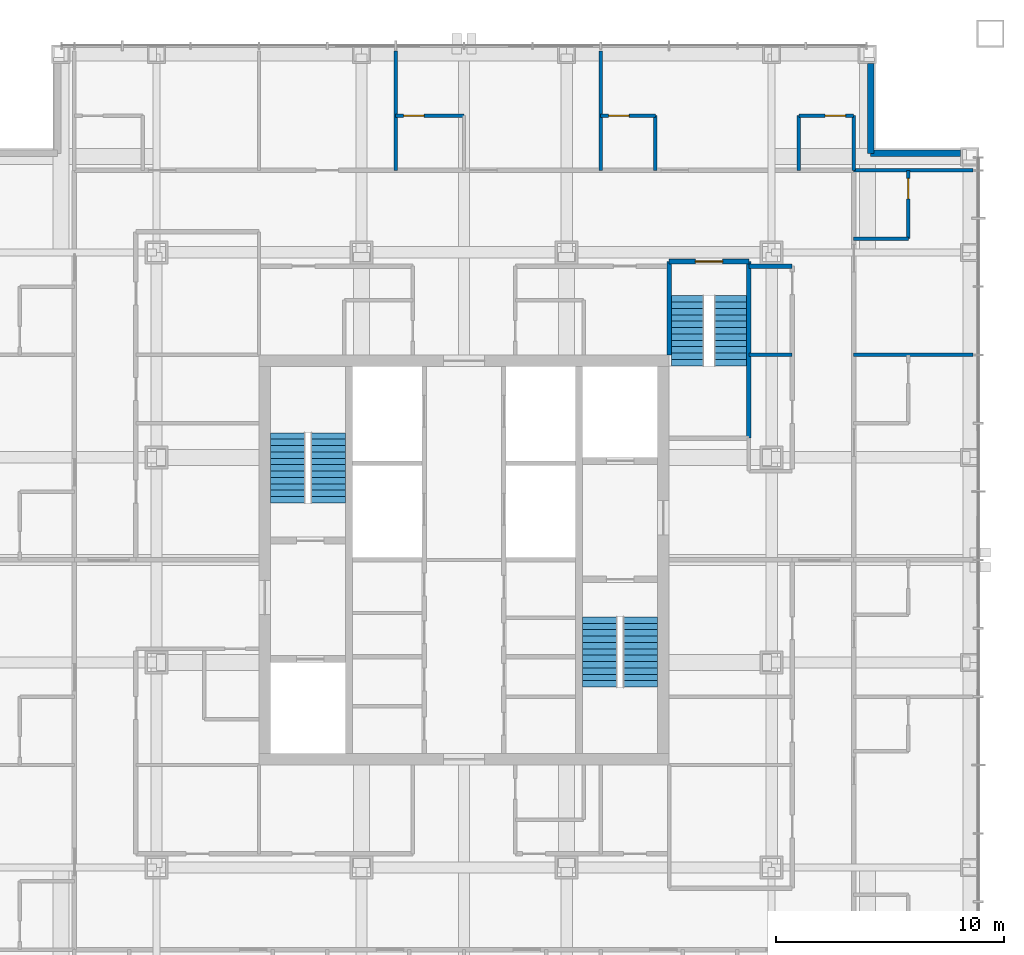
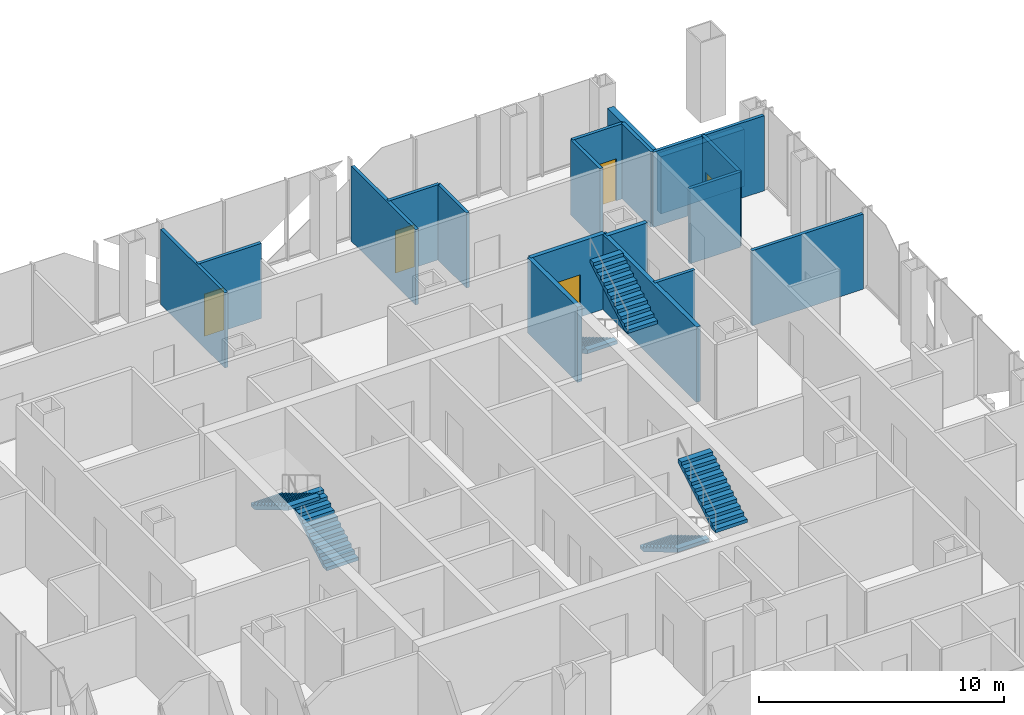
# One storey, part 16 of 17: 19 walls, 6 stair flights, 5 doors, 5 openings, 3 elements without a shape of their own.
"""IFC4 building model written with IfcOpenShell, lengths in metres."""

from ifc_helpers import new_model, si_unit, direction, frame, frame_2d, origin, place, context, subcontext, project, spatial, polyline, rectangle, outline, extrude, material, layer, layer_set, type_object, element, fill, aggregate, save


model = new_model("IFC4")

# Units and contexts
model_context = context("Model", 3, precision=1e-05, world=origin(), true_north=direction((0.0, 1.0)))
body_context = subcontext(model_context, "Body", "Model", "MODEL_VIEW")
ifc_project = project(units=[si_unit("LENGTHUNIT", "METRE"), si_unit("AREAUNIT", "SQUARE_METRE"), si_unit("VOLUMEUNIT", "CUBIC_METRE"), si_unit("PLANEANGLEUNIT", "RADIAN"), si_unit("MASSUNIT", "GRAM", prefix="KILO")], contexts=[model_context])

# Site, building, storey
site_placement = place(None, origin())
site = spatial("IfcSite", under=ifc_project, at=site_placement, CompositionType="ELEMENT")
building_placement = place(site_placement, origin())
building = spatial("IfcBuilding", under=site, at=building_placement, Name="Malebo Sky Hospital", CompositionType="ELEMENT")
storey_placement = place(building_placement, frame((0.0, 0.0, 193.0)))
storey = spatial("IfcBuildingStorey", under=building, at=storey_placement, Name="L46", CompositionType="ELEMENT", Elevation=193.0)

# Walls
ifc_material_1 = material(Name="Gypsum board on steel studs", Category="steel")
ifc_layer_1 = layer(ifc_material_1, 0.199951171875)
ifc_layer_set_1 = layer_set([ifc_layer_1], Name="CORRIDOR WALL 200")
wall_type_1 = type_object("IfcWallType", Name="CORRIDOR WALL 200", PredefinedType="PARTITIONING", material=ifc_layer_set_1)
wall_1_placement = place(storey_placement, frame((72.5, 74.89990234375, 0.0), z_axis=(0.0, 0.0, 1.0), x_axis=(1.0, 0.0, 0.0)))
element("IfcWall", 1, at=wall_1_placement, inside=storey, type_object=wall_type_1, Name="Corridor Wall 200 NCI2/2", PredefinedType="PARTITIONING", context=body_context, shape_type="SweptSolid", body=[
    extrude(rectangle(XDim=1.89990234375, YDim=0.199951171875, at=frame_2d((0.949951171875, 0.0))), origin(), (0.0, 0.0, 1.0), 3.75),
])
ifc_material_2 = material(Name="Anodised aluminium rainscreen on steel framing", Category="steel")
ifc_layer_2 = layer(ifc_material_2, 0.300048828125)
ifc_layer_set_2 = layer_set([ifc_layer_2], Name="NOTCH RAINSCREEN WALL 300")
wall_type_2 = type_object("IfcWallType", Name="NOTCH RAINSCREEN WALL 300", PredefinedType="ELEMENTEDWALL", material=ifc_layer_set_2)
for number, where, z_axis, x_axis, name in (
    (2, (77.85009765625, 83.800048828125, 0.0), (0.0, 0.0, 1.0), (0.0, -1.0, 0.0), "Notch rainscreen wall N1 L46"),
    (3, (77.85009765625, 79.85009765625, 0.0), (0.0, 0.0, 1.0), (1.0, 0.0, 0.0), "Notch rainscreen wall N2 L46"),
):
    element("IfcWall", number, at=place(storey_placement, frame(where, z_axis=z_axis, x_axis=x_axis)), inside=storey, type_object=wall_type_2, Name=name, PredefinedType="ELEMENTEDWALL", context=body_context, shape_type="SweptSolid", body=[
        extrude(rectangle(XDim=3.949951171875, YDim=0.300048828125, at=frame_2d((1.97509765625, 0.0))), origin(), (0.0, 0.0, 1.0), 2.85009765625),
    ])
ifc_layer_3 = layer(ifc_material_1, 0.14990234375)
ifc_layer_set_3 = layer_set([ifc_layer_3], Name="PARTITION 150")
wall_type_3 = type_object("IfcWallType", Name="PARTITION 150", PredefinedType="PARTITIONING", material=ifc_layer_set_3)
for number, where, z_axis, x_axis, name in (
    (4, (57.0, 79.10009765625, 0.0), (0.0, 0.0, 1.0), (0.0, 1.0, 0.0), "Partition 150 NP-3.0"),
    (5, (66.0, 79.10009765625, 0.0), (0.0, 0.0, 1.0), (0.0, 1.0, 0.0), "Partition 150 NP+6.0"),
):
    element("IfcWall", number, at=place(storey_placement, frame(where, z_axis=z_axis, x_axis=x_axis)), inside=storey, type_object=wall_type_3, Name=name, PredefinedType="PARTITIONING", context=body_context, shape_type="SweptSolid", body=[
        extrude(rectangle(XDim=5.25, YDim=0.14990234375, at=frame_2d((2.625, 0.0))), origin(), (0.0, 0.0, 1.0), 3.75),
    ])

# Wall, opening, door
wall_2_placement = place(storey_placement, frame((57.0, 81.5, 0.0), z_axis=(0.0, 0.0, 1.0), x_axis=(1.0, 0.0, 0.0)))
wall_2 = element("IfcWall", 6, at=wall_2_placement, inside=storey, type_object=wall_type_3, Name="Partition 150 NE2F", PredefinedType="PARTITIONING", context=body_context, shape_type="SweptSolid", body=[
    extrude(rectangle(XDim=3.0, YDim=0.14990234375, at=frame_2d((1.5, 0.0))), origin(), (0.0, 0.0, 1.0), 3.75),
])
opening_1_placement = place(wall_2_placement, frame((0.35009765625, 0.0, 0.0)))
opening_1 = element("IfcOpeningElement", 7, at=opening_1_placement, cuts=wall_2, Name="Opening D02", PredefinedType="OPENING", context=body_context, shape_type="SweptSolid", body=[
    extrude(rectangle(XDim=0.89990234375, YDim=2.10009765625, at=frame_2d((0.449951171875, 1.050048828125))), frame((0.0, 0.0849609375, 0.0), z_axis=(0.0, -1.0, 0.0), x_axis=(1.0, 0.0, 0.0)), (0.0, 0.0, 1.0), 0.169921875),
])
ifc_material_3 = material(Name="Hardwood-faced door leaf in steel frame", Category="steel")
door_type_1 = type_object("IfcDoorType", Name="EN-SUITE DOOR 900", OperationType="SINGLE_SWING_LEFT", PredefinedType="DOOR", material=ifc_material_3)
door_1_placement = place(opening_1_placement, origin())
door_1 = element("IfcDoor", 8, at=door_1_placement, inside=storey, type_object=door_type_1, Name="En-suite door", OperationType="SINGLE_SWING_LEFT", OverallHeight=2.10009765625, OverallWidth=0.89990234375, PredefinedType="DOOR", context=body_context, shape_type="SweptSolid", body=[
    extrude(rectangle(XDim=0.89990234375, YDim=2.10009765625, at=frame_2d((0.449951171875, 1.050048828125))), frame((0.0, 0.02490234375, 0.0), z_axis=(0.0, -1.0, 0.0), x_axis=(1.0, 0.0, 0.0)), (0.0, 0.0, 1.0), 0.050048828125),
])
fill(opening_1, door_1)

wall_3_placement = place(storey_placement, frame((66.0, 81.5, 0.0), z_axis=(0.0, 0.0, 1.0), x_axis=(1.0, 0.0, 0.0)))
wall_3 = element("IfcWall", 9, at=wall_3_placement, inside=storey, type_object=wall_type_3, Name="Partition 150 NE3F", PredefinedType="PARTITIONING", context=body_context, shape_type="SweptSolid", body=[
    extrude(rectangle(XDim=2.39990234375, YDim=0.14990234375, at=frame_2d((1.199951171875, 0.0))), origin(), (0.0, 0.0, 1.0), 3.75),
])
opening_2_placement = place(wall_3_placement, frame((0.35009765625, 0.0, 0.0)))
opening_2 = element("IfcOpeningElement", 10, at=opening_2_placement, cuts=wall_3, Name="Opening D02", PredefinedType="OPENING", context=body_context, shape_type="SweptSolid", body=[
    extrude(rectangle(XDim=0.89990234375, YDim=2.10009765625, at=frame_2d((0.449951171875, 1.050048828125))), frame((0.0, 0.0849609375, 0.0), z_axis=(0.0, -1.0, 0.0), x_axis=(1.0, 0.0, 0.0)), (0.0, 0.0, 1.0), 0.169921875),
])
door_2_placement = place(opening_2_placement, origin())
door_2 = element("IfcDoor", 11, at=door_2_placement, inside=storey, type_object=door_type_1, Name="En-suite door", OperationType="SINGLE_SWING_LEFT", OverallHeight=2.10009765625, OverallWidth=0.89990234375, PredefinedType="DOOR", context=body_context, shape_type="SweptSolid", body=[
    extrude(rectangle(XDim=0.89990234375, YDim=2.10009765625, at=frame_2d((0.449951171875, 1.050048828125))), frame((0.0, 0.02490234375, 0.0), z_axis=(0.0, -1.0, 0.0), x_axis=(1.0, 0.0, 0.0)), (0.0, 0.0, 1.0), 0.050048828125),
])
fill(opening_2, door_2)

# Wall
wall_4_placement = place(storey_placement, frame((68.39990234375, 79.10009765625, 0.0), z_axis=(0.0, 0.0, 1.0), x_axis=(0.0, 1.0, 0.0)))
element("IfcWall", 12, at=wall_4_placement, inside=storey, type_object=wall_type_3, Name="Partition 150 NE3S", PredefinedType="PARTITIONING", context=body_context, shape_type="SweptSolid", body=[
    extrude(rectangle(XDim=2.39990234375, YDim=0.14990234375, at=frame_2d((1.199951171875, 0.0))), origin(), (0.0, 0.0, 1.0), 3.75),
])

# Wall, opening, door
wall_5_placement = place(storey_placement, frame((74.699951171875, 81.5, 0.0), z_axis=(0.0, 0.0, 1.0), x_axis=(1.0, 0.0, 0.0)))
wall_5 = element("IfcWall", 13, at=wall_5_placement, inside=storey, type_object=wall_type_3, Name="Partition 150 NG3F", PredefinedType="PARTITIONING", context=body_context, shape_type="SweptSolid", body=[
    extrude(rectangle(XDim=2.400146484375, YDim=0.14990234375, at=frame_2d((1.2001953125, 0.0))), origin(), (0.0, 0.0, 1.0), 3.75),
])
opening_3_placement = place(wall_5_placement, frame((1.14990234375, 0.0, 0.0)))
opening_3 = element("IfcOpeningElement", 14, at=opening_3_placement, cuts=wall_5, Name="Opening D02", PredefinedType="OPENING", context=body_context, shape_type="SweptSolid", body=[
    extrude(rectangle(XDim=0.89990234375, YDim=2.10009765625, at=frame_2d((0.449951171875, 1.050048828125))), frame((0.0, 0.0849609375, 0.0), z_axis=(0.0, -1.0, 0.0), x_axis=(1.0, 0.0, 0.0)), (0.0, 0.0, 1.0), 0.169921875),
])
door_3_placement = place(opening_3_placement, origin())
door_3 = element("IfcDoor", 15, at=door_3_placement, inside=storey, type_object=door_type_1, Name="En-suite door", OperationType="SINGLE_SWING_RIGHT", OverallHeight=2.10009765625, OverallWidth=0.89990234375, PredefinedType="DOOR", context=body_context, shape_type="SweptSolid", body=[
    extrude(rectangle(XDim=0.89990234375, YDim=2.10009765625, at=frame_2d((0.449951171875, 1.050048828125))), frame((0.0, 0.02490234375, 0.0), z_axis=(0.0, -1.0, 0.0), x_axis=(1.0, 0.0, 0.0)), (0.0, 0.0, 1.0), 0.050048828125),
])
fill(opening_3, door_3)

# Walls
for number, where, z_axis, x_axis, name in (
    (16, (74.699951171875, 79.10009765625, 0.0), (0.0, 0.0, 1.0), (0.0, 1.0, 0.0), "Partition 150 NG3S"),
    (17, (77.10009765625, 79.10009765625, 0.0), (0.0, 0.0, 1.0), (0.0, 1.0, 0.0), "Partition 150 NEZ"),
):
    element("IfcWall", number, at=place(storey_placement, frame(where, z_axis=z_axis, x_axis=x_axis)), inside=storey, type_object=wall_type_3, Name=name, PredefinedType="PARTITIONING", context=body_context, shape_type="SweptSolid", body=[
        extrude(rectangle(XDim=2.39990234375, YDim=0.14990234375, at=frame_2d((1.199951171875, 0.0))), origin(), (0.0, 0.0, 1.0), 3.75),
    ])
for number, where, z_axis, x_axis, name in (
    (18, (77.10009765625, 71.0, 0.0), (0.0, 0.0, 1.0), (1.0, 0.0, 0.0), "Partition 150 EP-9.0"),
    (19, (77.10009765625, 79.10009765625, 0.0), (0.0, 0.0, 1.0), (1.0, 0.0, 0.0), "Partition 150 EP0"),
):
    element("IfcWall", number, at=place(storey_placement, frame(where, z_axis=z_axis, x_axis=x_axis)), inside=storey, type_object=wall_type_3, Name=name, PredefinedType="PARTITIONING", context=body_context, shape_type="SweptSolid", body=[
        extrude(rectangle(XDim=5.25, YDim=0.14990234375, at=frame_2d((2.625, 0.0))), origin(), (0.0, 0.0, 1.0), 3.75),
    ])

# Wall, opening, door
wall_6_placement = place(storey_placement, frame((79.5, 79.10009765625, 0.0), z_axis=(0.0, 0.0, 1.0), x_axis=(0.0, -1.0, 0.0)))
wall_6 = element("IfcWall", 20, at=wall_6_placement, inside=storey, type_object=wall_type_3, Name="Partition 150 EE0F", PredefinedType="PARTITIONING", context=body_context, shape_type="SweptSolid", body=[
    extrude(rectangle(XDim=3.0, YDim=0.14990234375, at=frame_2d((1.5, 0.0))), origin(), (0.0, 0.0, 1.0), 3.75),
])
opening_4_placement = place(wall_6_placement, frame((0.35009765625, 0.0, 0.0)))
opening_4 = element("IfcOpeningElement", 21, at=opening_4_placement, cuts=wall_6, Name="Opening D02", PredefinedType="OPENING", context=body_context, shape_type="SweptSolid", body=[
    extrude(rectangle(XDim=0.89990234375, YDim=2.10009765625, at=frame_2d((0.449951171875, 1.050048828125))), frame((0.0, 0.0849609375, 0.0), z_axis=(0.0, -1.0, 0.0), x_axis=(1.0, 0.0, 0.0)), (0.0, 0.0, 1.0), 0.169921875),
])
door_4_placement = place(opening_4_placement, origin())
door_4 = element("IfcDoor", 22, at=door_4_placement, inside=storey, type_object=door_type_1, Name="En-suite door", OperationType="SINGLE_SWING_LEFT", OverallHeight=2.10009765625, OverallWidth=0.89990234375, PredefinedType="DOOR", context=body_context, shape_type="SweptSolid", body=[
    extrude(rectangle(XDim=0.89990234375, YDim=2.10009765625, at=frame_2d((0.449951171875, 1.050048828125))), frame((0.0, 0.02490234375, 0.0), z_axis=(0.0, -1.0, 0.0), x_axis=(1.0, 0.0, 0.0)), (0.0, 0.0, 1.0), 0.050048828125),
])
fill(opening_4, door_4)

# Walls
wall_7_placement = place(storey_placement, frame((77.10009765625, 76.10009765625, 0.0), z_axis=(0.0, 0.0, 1.0), x_axis=(1.0, 0.0, 0.0)))
element("IfcWall", 23, at=wall_7_placement, inside=storey, type_object=wall_type_3, Name="Partition 150 EE0S", PredefinedType="PARTITIONING", context=body_context, shape_type="SweptSolid", body=[
    extrude(rectangle(XDim=2.39990234375, YDim=0.14990234375, at=frame_2d((1.199951171875, 0.0))), origin(), (0.0, 0.0, 1.0), 3.75),
])
wall_8_placement = place(storey_placement, frame((72.5, 71.0, 0.0), z_axis=(0.0, 0.0, 1.0), x_axis=(1.0, 0.0, 0.0)))
element("IfcWall", 24, at=wall_8_placement, inside=storey, type_object=wall_type_3, Name="Partition 150 ESP0", PredefinedType="PARTITIONING", context=body_context, shape_type="SweptSolid", body=[
    extrude(rectangle(XDim=1.89990234375, YDim=0.14990234375, at=frame_2d((0.949951171875, 0.0))), origin(), (0.0, 0.0, 1.0), 3.75),
])
ifc_material_4 = material(Name="Concrete C40/50", Category="concrete")
ifc_layer_4 = layer(ifc_material_4, 0.199951171875)
ifc_layer_set_4 = layer_set([ifc_layer_4], Name="STAIR ENCLOSURE WALL 200")
wall_type_4 = type_object("IfcWallType", Name="STAIR ENCLOSURE WALL 200", PredefinedType="SOLIDWALL", material=ifc_layer_set_4)
wall_9_placement = place(storey_placement, frame((69.0, 71.0, 0.0), z_axis=(0.0, 0.0, 1.0), x_axis=(0.0, 1.0, 0.0)))
element("IfcWall", 25, at=wall_9_placement, inside=storey, type_object=wall_type_4, Name="Stair Enclosure Wall 200 ST3W", PredefinedType="SOLIDWALL", context=body_context, shape_type="SweptSolid", body=[
    extrude(rectangle(XDim=4.10009765625, YDim=0.199951171875, at=frame_2d((2.050048828125, 0.0))), origin(), (0.0, 0.0, 1.0), 3.75),
])
wall_10_placement = place(storey_placement, frame((72.5, 67.35009765625, 0.0), z_axis=(0.0, 0.0, 1.0), x_axis=(0.0, 1.0, 0.0)))
element("IfcWall", 26, at=wall_10_placement, inside=storey, type_object=wall_type_4, Name="Stair Enclosure Wall 200 ST3E", PredefinedType="SOLIDWALL", context=body_context, shape_type="SweptSolid", body=[
    extrude(rectangle(XDim=7.75, YDim=0.199951171875, at=frame_2d((3.875, 0.0))), origin(), (0.0, 0.0, 1.0), 3.75),
])

# Wall, opening, door
wall_11_placement = place(storey_placement, frame((69.0, 75.10009765625, 0.0), z_axis=(0.0, 0.0, 1.0), x_axis=(1.0, 0.0, 0.0)))
wall_11 = element("IfcWall", 27, at=wall_11_placement, inside=storey, type_object=wall_type_4, Name="Stair Enclosure Wall 200 ST3N", PredefinedType="SOLIDWALL", context=body_context, shape_type="SweptSolid", body=[
    extrude(rectangle(XDim=3.5, YDim=0.199951171875, at=frame_2d((1.75, 0.0))), origin(), (0.0, 0.0, 1.0), 3.75),
])
opening_5_placement = place(wall_11_placement, frame((1.14990234375, 0.0, 0.0)))
opening_5 = element("IfcOpeningElement", 28, at=opening_5_placement, cuts=wall_11, Name="Opening D08", PredefinedType="OPENING", context=body_context, shape_type="SweptSolid", body=[
    extrude(rectangle(XDim=1.199951171875, YDim=2.10009765625, at=frame_2d((0.60009765625, 1.050048828125))), frame((0.0, 0.10986328125, 0.0), z_axis=(0.0, -1.0, 0.0), x_axis=(1.0, 0.0, 0.0)), (0.0, 0.0, 1.0), 0.219970703125),
])
door_type_2 = type_object("IfcDoorType", Name="STAIR DOOR 1200", OperationType="SINGLE_SWING_LEFT", PredefinedType="DOOR", material=ifc_material_3)
door_5_placement = place(opening_5_placement, origin())
door_5 = element("IfcDoor", 29, at=door_5_placement, inside=storey, type_object=door_type_2, Name="Stair S3 door", OperationType="SINGLE_SWING_LEFT", OverallHeight=2.10009765625, OverallWidth=1.199951171875, PredefinedType="DOOR", context=body_context, shape_type="SweptSolid", body=[
    extrude(rectangle(XDim=1.199951171875, YDim=2.10009765625, at=frame_2d((0.60009765625, 1.050048828125))), frame((0.0, 0.02490234375, 0.0), z_axis=(0.0, -1.0, 0.0), x_axis=(1.0, 0.0, 0.0)), (0.0, 0.0, 1.0), 0.050048828125),
])
fill(opening_5, door_5)

# Stair, stair flights
stair_type_1 = type_object("IfcStairType", Name="HALF-TURN STAIR 1400 R167", PredefinedType="HALF_TURN_STAIR", material=ifc_material_4)
stair_1_placement = place(storey_placement, origin())
stair_1 = element("IfcStair", 30, at=stair_1_placement, inside=storey, type_object=stair_type_1, Name="Stair S3 L46 type ST1B", PredefinedType="HALF_TURN_STAIR")
stair_flight_type_1 = type_object("IfcStairFlightType", Name="STAIR FLIGHT 1400 R167", PredefinedType="STRAIGHT", material=ifc_material_4)
stair_flight_1_placement = place(storey_placement, frame((69.800048828125, 73.60009765625, 0.0), z_axis=(0.0, 0.0, 1.0), x_axis=(0.0, -1.0, 0.0)))
stair_flight_1 = element("IfcStairFlight", 31, at=stair_flight_1_placement, type_object=stair_flight_type_1, Name="S3 flight 1 type SF1B", NumberOfRisers=12, NumberOfTreads=11, PredefinedType="STRAIGHT", RiserHeight=0.166666667, TreadLength=0.28, context=body_context, shape_type="SweptSolid", body=[
    extrude(outline(polyline([(0.0, 0.0), (0.0, 0.166748046875), (0.280029296875, 0.166748046875), (0.280029296875, 0.333251953125), (0.56005859375, 0.333251953125), (0.56005859375, 0.5), (0.840087890625, 0.5), (0.840087890625, 0.666748046875), (1.1201171875, 0.666748046875), (1.1201171875, 0.833251953125), (1.39990234375, 0.833251953125), (1.39990234375, 1.0), (1.679931640625, 1.0), (1.679931640625, 1.166748046875), (1.9599609375, 1.166748046875), (1.9599609375, 1.333251953125), (2.239990234375, 1.333251953125), (2.239990234375, 1.5), (2.52001953125, 1.5), (2.52001953125, 1.666748046875), (2.800048828125, 1.666748046875), (2.800048828125, 1.833251953125), (3.080078125, 1.833251953125), (3.080078125, 2.0), (3.080078125, 1.658935546875), (0.29296875, 0.0), (0.0, 0.0)])), frame((0.0, 0.699951171875, 0.0), z_axis=(0.0, -1.0, 0.0), x_axis=(1.0, 0.0, 0.0)), (0.0, 0.0, 1.0), 1.39990234375),
])
stair_flight_2_placement = place(storey_placement, frame((71.699951171875, 70.52001953125, 2.0), z_axis=(0.0, 0.0, 1.0), x_axis=(0.0, 1.0, 0.0)))
stair_flight_2 = element("IfcStairFlight", 32, at=stair_flight_2_placement, type_object=stair_flight_type_1, Name="S3 flight 2 type SF1B", NumberOfRisers=12, NumberOfTreads=11, PredefinedType="STRAIGHT", RiserHeight=0.166666667, TreadLength=0.28, context=body_context, shape_type="SweptSolid", body=[
    extrude(outline(polyline([(0.0, 0.0), (0.0, 0.166748046875), (0.280029296875, 0.166748046875), (0.280029296875, 0.333251953125), (0.56005859375, 0.333251953125), (0.56005859375, 0.5), (0.840087890625, 0.5), (0.840087890625, 0.666748046875), (1.1201171875, 0.666748046875), (1.1201171875, 0.833251953125), (1.39990234375, 0.833251953125), (1.39990234375, 1.0), (1.679931640625, 1.0), (1.679931640625, 1.166748046875), (1.9599609375, 1.166748046875), (1.9599609375, 1.333251953125), (2.239990234375, 1.333251953125), (2.239990234375, 1.5), (2.52001953125, 1.5), (2.52001953125, 1.666748046875), (2.800048828125, 1.666748046875), (2.800048828125, 1.833251953125), (3.080078125, 1.833251953125), (3.080078125, 2.0), (3.080078125, 1.658935546875), (0.29296875, 0.0), (0.0, 0.0)])), frame((0.0, 0.699951171875, 0.0), z_axis=(0.0, -1.0, 0.0), x_axis=(1.0, 0.0, 0.0)), (0.0, 0.0, 1.0), 1.39990234375),
])
aggregate(stair_1, [stair_flight_1, stair_flight_2])

stair_type_2 = type_object("IfcStairType", Name="HALF-TURN STAIR 1500 R167", PredefinedType="HALF_TURN_STAIR", material=ifc_material_4)
stair_2_placement = place(storey_placement, origin())
stair_2 = element("IfcStair", 33, at=stair_2_placement, inside=storey, type_object=stair_type_2, Name="Stair S1 L46 type ST1", PredefinedType="HALF_TURN_STAIR")
stair_flight_type_2 = type_object("IfcStairFlightType", Name="STAIR FLIGHT 1500 R167", PredefinedType="STRAIGHT", material=ifc_material_4)
stair_flight_3_placement = place(storey_placement, frame((54.050048828125, 64.5, 0.0), z_axis=(0.0, 0.0, 1.0), x_axis=(0.0, 1.0, 0.0)))
stair_flight_3 = element("IfcStairFlight", 34, at=stair_flight_3_placement, type_object=stair_flight_type_2, Name="S1 flight 1 type SF1", NumberOfRisers=12, NumberOfTreads=11, PredefinedType="STRAIGHT", RiserHeight=0.166666667, TreadLength=0.28, context=body_context, shape_type="SweptSolid", body=[
    extrude(outline(polyline([(0.0, 0.0), (0.0, 0.166748046875), (0.280029296875, 0.166748046875), (0.280029296875, 0.333251953125), (0.56005859375, 0.333251953125), (0.56005859375, 0.5), (0.840087890625, 0.5), (0.840087890625, 0.666748046875), (1.1201171875, 0.666748046875), (1.1201171875, 0.833251953125), (1.39990234375, 0.833251953125), (1.39990234375, 1.0), (1.679931640625, 1.0), (1.679931640625, 1.166748046875), (1.9599609375, 1.166748046875), (1.9599609375, 1.333251953125), (2.239990234375, 1.333251953125), (2.239990234375, 1.5), (2.52001953125, 1.5), (2.52001953125, 1.666748046875), (2.800048828125, 1.666748046875), (2.800048828125, 1.833251953125), (3.080078125, 1.833251953125), (3.080078125, 2.0), (3.080078125, 1.658935546875), (0.29296875, 0.0), (0.0, 0.0)])), frame((0.0, 0.75, 0.0), z_axis=(0.0, -1.0, 0.0), x_axis=(1.0, 0.0, 0.0)), (0.0, 0.0, 1.0), 1.5),
])
stair_flight_4_placement = place(storey_placement, frame((52.25, 67.580078125, 2.0), z_axis=(0.0, 0.0, 1.0), x_axis=(0.0, -1.0, 0.0)))
stair_flight_4 = element("IfcStairFlight", 35, at=stair_flight_4_placement, type_object=stair_flight_type_2, Name="S1 flight 2 type SF1", NumberOfRisers=12, NumberOfTreads=11, PredefinedType="STRAIGHT", RiserHeight=0.166666667, TreadLength=0.28, context=body_context, shape_type="SweptSolid", body=[
    extrude(outline(polyline([(0.0, 0.0), (0.0, 0.166748046875), (0.280029296875, 0.166748046875), (0.280029296875, 0.333251953125), (0.56005859375, 0.333251953125), (0.56005859375, 0.5), (0.840087890625, 0.5), (0.840087890625, 0.666748046875), (1.1201171875, 0.666748046875), (1.1201171875, 0.833251953125), (1.39990234375, 0.833251953125), (1.39990234375, 1.0), (1.679931640625, 1.0), (1.679931640625, 1.166748046875), (1.9599609375, 1.166748046875), (1.9599609375, 1.333251953125), (2.239990234375, 1.333251953125), (2.239990234375, 1.5), (2.52001953125, 1.5), (2.52001953125, 1.666748046875), (2.800048828125, 1.666748046875), (2.800048828125, 1.833251953125), (3.080078125, 1.833251953125), (3.080078125, 2.0), (3.080078125, 1.658935546875), (0.29296875, 0.0), (0.0, 0.0)])), frame((0.0, 0.75, 0.0), z_axis=(0.0, -1.0, 0.0), x_axis=(1.0, 0.0, 0.0)), (0.0, 0.0, 1.0), 1.5),
])
aggregate(stair_2, [stair_flight_3, stair_flight_4])

stair_3_placement = place(storey_placement, origin())
stair_3 = element("IfcStair", 36, at=stair_3_placement, inside=storey, type_object=stair_type_2, Name="Stair S2 L46 type ST1", PredefinedType="HALF_TURN_STAIR")
stair_flight_5_placement = place(storey_placement, frame((65.949951171875, 59.5, 0.0), z_axis=(0.0, 0.0, 1.0), x_axis=(0.0, -1.0, 0.0)))
stair_flight_5 = element("IfcStairFlight", 37, at=stair_flight_5_placement, type_object=stair_flight_type_2, Name="S2 flight 1 type SF1", NumberOfRisers=12, NumberOfTreads=11, PredefinedType="STRAIGHT", RiserHeight=0.166666667, TreadLength=0.28, context=body_context, shape_type="SweptSolid", body=[
    extrude(outline(polyline([(0.0, 0.0), (0.0, 0.166748046875), (0.280029296875, 0.166748046875), (0.280029296875, 0.333251953125), (0.56005859375, 0.333251953125), (0.56005859375, 0.5), (0.840087890625, 0.5), (0.840087890625, 0.666748046875), (1.1201171875, 0.666748046875), (1.1201171875, 0.833251953125), (1.39990234375, 0.833251953125), (1.39990234375, 1.0), (1.679931640625, 1.0), (1.679931640625, 1.166748046875), (1.9599609375, 1.166748046875), (1.9599609375, 1.333251953125), (2.239990234375, 1.333251953125), (2.239990234375, 1.5), (2.52001953125, 1.5), (2.52001953125, 1.666748046875), (2.800048828125, 1.666748046875), (2.800048828125, 1.833251953125), (3.080078125, 1.833251953125), (3.080078125, 2.0), (3.080078125, 1.658935546875), (0.29296875, 0.0), (0.0, 0.0)])), frame((0.0, 0.75, 0.0), z_axis=(0.0, -1.0, 0.0), x_axis=(1.0, 0.0, 0.0)), (0.0, 0.0, 1.0), 1.5),
])
stair_flight_6_placement = place(storey_placement, frame((67.75, 56.419921875, 2.0), z_axis=(0.0, 0.0, 1.0), x_axis=(0.0, 1.0, 0.0)))
stair_flight_6 = element("IfcStairFlight", 38, at=stair_flight_6_placement, type_object=stair_flight_type_2, Name="S2 flight 2 type SF1", NumberOfRisers=12, NumberOfTreads=11, PredefinedType="STRAIGHT", RiserHeight=0.166666667, TreadLength=0.28, context=body_context, shape_type="SweptSolid", body=[
    extrude(outline(polyline([(0.0, 0.0), (0.0, 0.166748046875), (0.280029296875, 0.166748046875), (0.280029296875, 0.333251953125), (0.56005859375, 0.333251953125), (0.56005859375, 0.5), (0.840087890625, 0.5), (0.840087890625, 0.666748046875), (1.1201171875, 0.666748046875), (1.1201171875, 0.833251953125), (1.39990234375, 0.833251953125), (1.39990234375, 1.0), (1.679931640625, 1.0), (1.679931640625, 1.166748046875), (1.9599609375, 1.166748046875), (1.9599609375, 1.333251953125), (2.239990234375, 1.333251953125), (2.239990234375, 1.5), (2.52001953125, 1.5), (2.52001953125, 1.666748046875), (2.800048828125, 1.666748046875), (2.800048828125, 1.833251953125), (3.080078125, 1.833251953125), (3.080078125, 2.0), (3.080078125, 1.658935546875), (0.29296875, 0.0), (0.0, 0.0)])), frame((0.0, 0.75, 0.0), z_axis=(0.0, -1.0, 0.0), x_axis=(1.0, 0.0, 0.0)), (0.0, 0.0, 1.0), 1.5),
])
aggregate(stair_3, [stair_flight_5, stair_flight_6])

save(model, "model.ifc")
